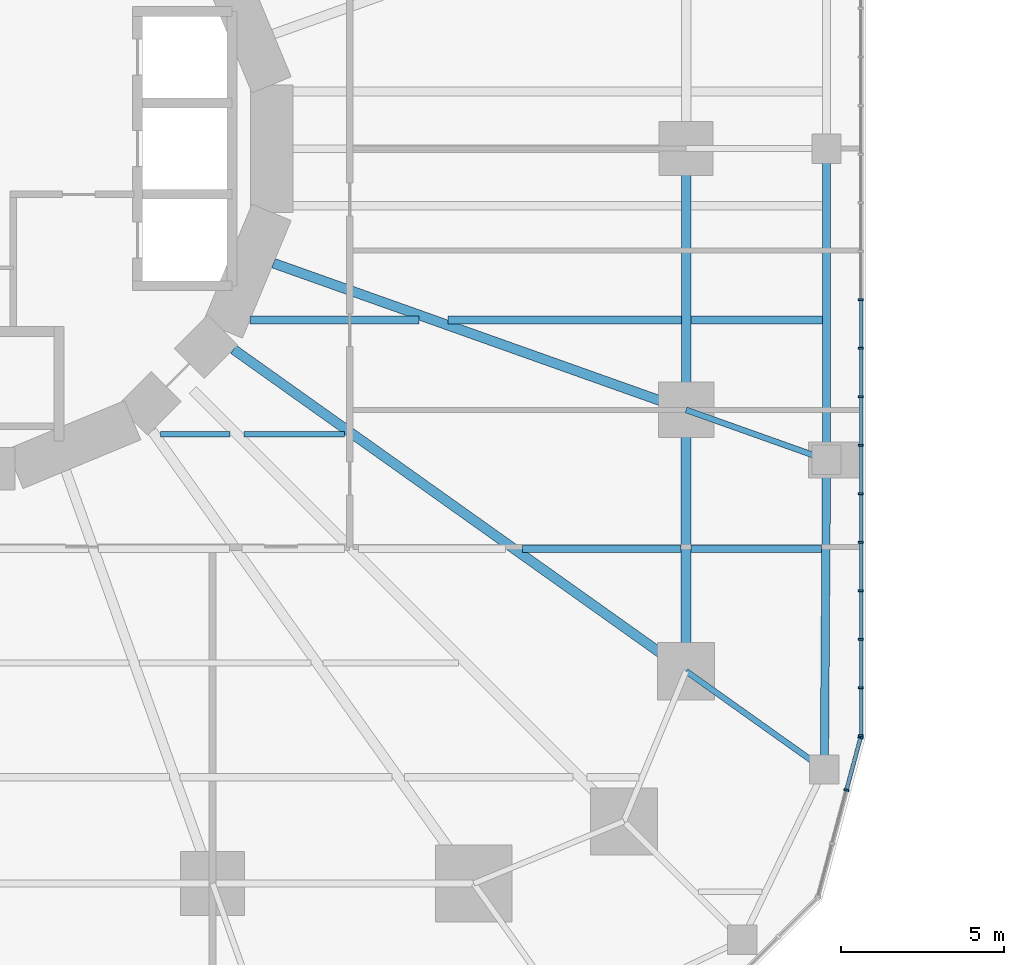
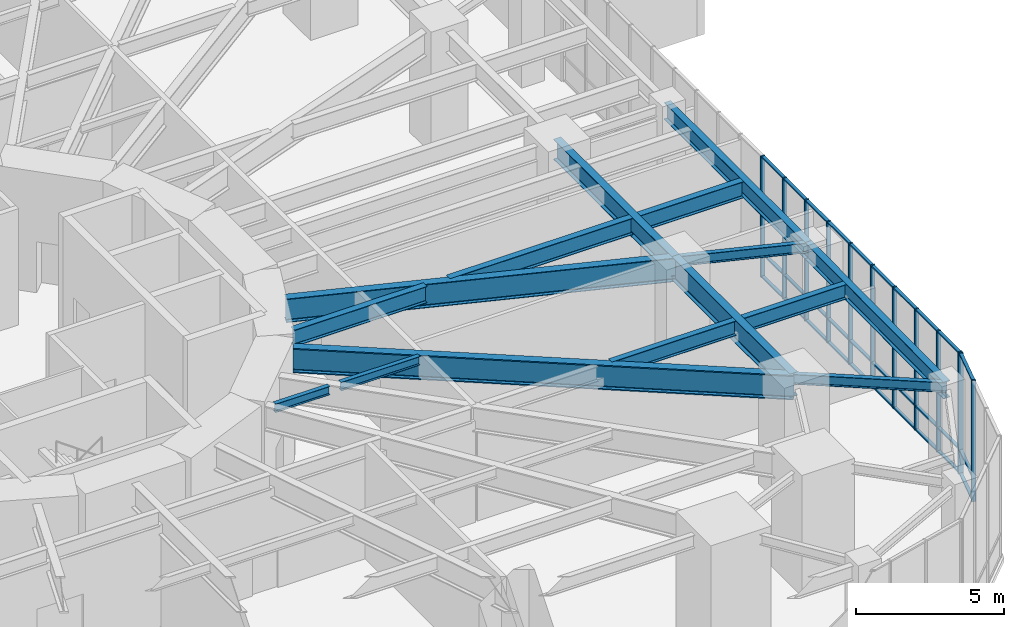
# One storey, part 7 of 24: 42 members, 15 beams, 2 elements without a shape of their own.
"""IFC4 building model written with IfcOpenShell, lengths in metres."""

import ifcopenshell
import ifcopenshell.guid

model = None  # the IFC model being written
_history = None  # IfcOwnerHistory: only IFC2X3 demands one
_inside = {}  # id of a spatial element -> (the spatial element, [elements in it])
_under = {}  # id of a project, library or spatial element -> (it, [spatial elements below it])
_declared = {}  # id of a project -> (the project, [libraries it declares])
_typed = {}  # id of a type object -> (the type object, [elements of that type])
_made_of = {}  # id of a material, layer set ... -> (it, [elements and type objects made of it])


def new_model(schema):
    """Start an empty IFC model of exactly this schema.

    Asked for "IFC4X3", IfcOpenShell would pick the latest addendum, in which some entities
    have other attributes; the version numbers below select the first issue.
    IFC2X3 requires an IfcOwnerHistory on every rooted entity: one is made here for all.
    """
    global model, _history
    if schema == "IFC4X3":
        model = ifcopenshell.file(schema_version=(4, 3, 0, 0))
    else:
        model = ifcopenshell.file(schema=schema)
    _inside.clear()
    _under.clear()
    _declared.clear()
    _typed.clear()
    _made_of.clear()
    _history = None
    if model.schema == "IFC2X3":
        org = make("IfcOrganization", Name="unknown")
        user = make(
            "IfcPersonAndOrganization",
            ThePerson=make("IfcPerson", FamilyName="unknown"),
            TheOrganization=org,
        )
        app = make(
            "IfcApplication",
            ApplicationDeveloper=org,
            Version="unknown",
            ApplicationFullName="unknown",
            ApplicationIdentifier="unknown",
        )
        _history = make(
            "IfcOwnerHistory",
            OwningUser=user,
            OwningApplication=app,
            ChangeAction="ADDED",
            CreationDate=0,
        )
    return model


def make(cls, **values):
    """One entity of the class cls with the attributes given. An attribute that is None is left unset."""
    return model.create_entity(
        cls, **{name: value for name, value in values.items() if value is not None}
    )


def rooted(cls, **values):
    """An entity with a GlobalId (a new one), such as an element, a storey or a relation."""
    return make(cls, GlobalId=ifcopenshell.guid.new(), OwnerHistory=_history, **values)


def si_unit(unit_type, name, prefix=None):
    """IfcSIUnit, for example si_unit("LENGTHUNIT", "METRE", prefix="MILLI")."""
    return make("IfcSIUnit", UnitType=unit_type, Prefix=prefix, Name=name)


def assignment(units):
    """IfcUnitAssignment: the units of a project."""
    return None if units is None else make("IfcUnitAssignment", Units=units)


def point(xyz):
    """IfcCartesianPoint."""
    return None if xyz is None else make("IfcCartesianPoint", Coordinates=xyz)


def direction(xyz):
    """IfcDirection."""
    return None if xyz is None else make("IfcDirection", DirectionRatios=xyz)


def frame(location, z_axis=None, x_axis=None):
    """IfcAxis2Placement3D, a coordinate frame: its origin and axes. An axis left out is left unset."""
    return make(
        "IfcAxis2Placement3D",
        Location=point(location),
        Axis=direction(z_axis),
        RefDirection=direction(x_axis),
    )


def frame_2d(location, x_axis=None):
    """IfcAxis2Placement2D, a coordinate frame in the plane: its origin and x axis."""
    return make(
        "IfcAxis2Placement2D", Location=point(location), RefDirection=direction(x_axis)
    )


def origin():
    """The frame at (0, 0, 0) with its axes left unset."""
    return frame((0.0, 0.0, 0.0))


def origin_2d():
    """The frame at (0, 0) in the plane with its x axis left unset."""
    return frame_2d((0.0, 0.0))


def place(relative_to, where):
    """IfcLocalPlacement: puts the frame where relative to a parent placement (None: the world)."""
    return make(
        "IfcLocalPlacement", PlacementRelTo=relative_to, RelativePlacement=where
    )


def context(
    kind, dimensions, precision=None, world=None, true_north=None, identifier=None
):
    """IfcGeometricRepresentationContext, for example the 3D "Model" context."""
    return make(
        "IfcGeometricRepresentationContext",
        ContextIdentifier=identifier,
        ContextType=kind,
        CoordinateSpaceDimension=dimensions,
        Precision=precision,
        WorldCoordinateSystem=world,
        TrueNorth=true_north,
    )


def subcontext(parent, identifier, kind, view, scale=None):
    """IfcGeometricRepresentationSubContext, for example "Body" below "Model"."""
    return make(
        "IfcGeometricRepresentationSubContext",
        ContextIdentifier=identifier,
        ContextType=kind,
        ParentContext=parent,
        TargetScale=scale,
        TargetView=view,
    )


def project(units=None, contexts=None):
    """IfcProject with its units and contexts."""
    return rooted(
        "IfcProject",
        Name="project",
        RepresentationContexts=contexts,
        UnitsInContext=assignment(units),
    )


def spatial(cls, under=None, at=None, **own):
    """A site, building, storey or space (cls), placed at a placement, below another one or the project."""
    s = rooted(cls, ObjectPlacement=at, **own)
    if under is not None:
        _under.setdefault(under.id(), (under, []))[1].append(s)
    return s


def profile(cls, at=None, kind="AREA", **sizes):
    """A parametric profile (cls). Its sizes go by their IFC names, for example OverallWidth=200.0."""
    return make(cls, ProfileType=kind, Position=at, **sizes)


def rectangle(**sizes):
    """IfcRectangleProfileDef."""
    return profile("IfcRectangleProfileDef", **sizes)


def i_section(**sizes):
    """IfcIShapeProfileDef."""
    return profile("IfcIShapeProfileDef", **sizes)


def extrude(swept, where, along, depth):
    """IfcExtrudedAreaSolid: the profile swept, set in the frame where, extruded along a direction by depth."""
    return make(
        "IfcExtrudedAreaSolid",
        SweptArea=swept,
        Position=where,
        ExtrudedDirection=direction(along),
        Depth=depth,
    )


def shape(context_of_items, identifier, shape_type, items):
    """IfcShapeRepresentation: the items that make up one representation, for example the "Body"."""
    return make(
        "IfcShapeRepresentation",
        ContextOfItems=context_of_items,
        RepresentationIdentifier=identifier,
        RepresentationType=shape_type,
        Items=items,
    )


def material(Name=None, Category=None):
    """IfcMaterial."""
    return make("IfcMaterial", Name=Name, Category=Category)


def material_profile(
    of_material, cross_section, Name=None, Category=None, Priority=None
):
    """IfcMaterialProfile: a cross section and its material."""
    return make(
        "IfcMaterialProfile",
        Name=Name,
        Material=of_material,
        Profile=cross_section,
        Priority=Priority,
        Category=Category,
    )


def profile_set(profiles, Name=None, composite=None):
    """IfcMaterialProfileSet."""
    return make(
        "IfcMaterialProfileSet",
        Name=Name,
        MaterialProfiles=profiles,
        CompositeProfile=composite,
    )


def made_of(thing, what):
    """Note that an element or type object is made of a material, layer set ...; save() writes the relation."""
    if what is not None:
        _made_of.setdefault(what.id(), (what, []))[1].append(thing)
    return thing


def type_object(cls, material=None, **own):
    """A type object (cls), such as IfcWallType, which elements share."""
    return made_of(rooted(cls, **own), material)


def element(
    cls,
    number,
    at=None,
    inside=None,
    cuts=None,
    type_object=None,
    material=None,
    context=None,
    identifier="Body",
    shape_type=None,
    held_by="IfcProductDefinitionShape",
    body=None,
    shapes=None,
    **own,
):
    """One element of the class cls, such as IfcWall. Its Tag is "e" and its number.

    at: its placement. inside: the storey or other place that contains it. cuts: it is an
    opening in that element (IfcRelVoidsElement). A single representation is given by context,
    identifier, shape_type and body (its items); several are given by shapes. held_by: the class
    of the entity that holds the representations. save() writes the other relations.
    """
    e = rooted(cls, Tag="e%d" % number, ObjectPlacement=at, **own)
    if body is not None:
        shapes = [shape(context, identifier, shape_type, body)]
    if shapes is not None:
        e.Representation = make(held_by, Representations=shapes)
    if inside is not None:
        _inside.setdefault(inside.id(), (inside, []))[1].append(e)
    if cuts is not None:
        rooted(
            "IfcRelVoidsElement", RelatingBuildingElement=cuts, RelatedOpeningElement=e
        )
    if type_object is not None:
        _typed.setdefault(type_object.id(), (type_object, []))[1].append(e)
    return made_of(e, material)


def aggregate(whole, parts):
    """IfcRelAggregates: a whole, such as a stair, and the parts it consists of."""
    return rooted("IfcRelAggregates", RelatingObject=whole, RelatedObjects=parts)


def save(model, path):
    """Write the relations noted so far, then the file.

    IfcRelAggregates (storeys below a building ...), IfcRelContainedInSpatialStructure (elements
    in a storey), IfcRelDefinesByType, IfcRelAssociatesMaterial and IfcRelDeclares: one each for
    every whole, place, type object, material and project.
    """
    for whole, parts in _under.values():
        aggregate(whole, parts)
    for where, things in _inside.values():
        rooted(
            "IfcRelContainedInSpatialStructure",
            RelatedElements=things,
            RelatingStructure=where,
        )
    for kind, things in _typed.values():
        rooted("IfcRelDefinesByType", RelatedObjects=things, RelatingType=kind)
    for what, things in _made_of.values():
        rooted("IfcRelAssociatesMaterial", RelatedObjects=things, RelatingMaterial=what)
    for by, libraries in _declared.values():
        rooted("IfcRelDeclares", RelatingContext=by, RelatedDefinitions=libraries)
    model.write(path)


model = new_model("IFC4")

# Units and contexts
model_context = context("Model", 3, precision=1e-05, world=origin(), true_north=direction((0.0, 1.0)))
body_context = subcontext(model_context, "Body", "Model", "MODEL_VIEW")
ifc_project = project(units=[si_unit("LENGTHUNIT", "METRE"), si_unit("AREAUNIT", "SQUARE_METRE"), si_unit("VOLUMEUNIT", "CUBIC_METRE"), si_unit("PLANEANGLEUNIT", "RADIAN"), si_unit("MASSUNIT", "GRAM", prefix="KILO")], contexts=[model_context])

# Site, building, storey
site_placement = place(None, origin())
site = spatial("IfcSite", under=ifc_project, at=site_placement, CompositionType="ELEMENT")
building_placement = place(site_placement, origin())
building = spatial("IfcBuilding", under=site, at=building_placement, Name="Nakasero Lantern House", CompositionType="ELEMENT")
storey_placement = place(building_placement, frame((0.0, 0.0, 6.0)))
storey = spatial("IfcBuildingStorey", under=building, at=storey_placement, Name="L01", CompositionType="ELEMENT", Elevation=6.0)

# Beams
ifc_material_1 = material(Name="Steel S355", Category="steel")
ifc_material_profile_1 = material_profile(ifc_material_1, i_section(OverallWidth=0.17138671875, OverallDepth=0.35498046875, WebThickness=0.00732421875, FlangeThickness=0.011474609375, FilletRadius=0.01025390625, at=origin_2d()), Name="UB 356x171x51")
ifc_profile_set_1 = profile_set([ifc_material_profile_1], Name="Steel S355")
beam_type_1 = type_object("IfcBeamType", Name="Infill beam UB 356x171x51", PredefinedType="JOIST", material=ifc_profile_set_1)
beam_1_placement = place(storey_placement, frame((6.40966796875, -8.75, 4.62255859375), z_axis=(1.0, 0.0, 0.0), x_axis=(0.0, 1.0, 0.0)))
element("IfcBeam", 1, at=beam_1_placement, inside=storey, type_object=beam_type_1, Name="Infill beam L02 06.3", PredefinedType="JOIST", context=body_context, shape_type="SweptSolid", body=[
    extrude(i_section(OverallWidth=0.17138671875, OverallDepth=0.35498046875, WebThickness=0.00732421875, FlangeThickness=0.011474609375, FilletRadius=0.01025390625, at=origin_2d()), origin(), (0.0, 0.0, 1.0), 2.124267578125),
])
beam_2_placement = place(storey_placement, frame((8.966064453125, -8.75, 4.62255859375), z_axis=(1.0, 0.0, 0.0), x_axis=(0.0, 1.0, 0.0)))
element("IfcBeam", 2, at=beam_2_placement, inside=storey, type_object=beam_type_1, Name="Infill beam L02 06.4", PredefinedType="JOIST", context=body_context, shape_type="SweptSolid", body=[
    extrude(i_section(OverallWidth=0.17138671875, OverallDepth=0.35498046875, WebThickness=0.00732421875, FlangeThickness=0.011474609375, FilletRadius=0.01025390625, at=origin_2d()), origin(), (0.0, 0.0, 1.0), 3.0771484375),
])
ifc_material_2 = material(Name="Steel S355", Category="steel")
ifc_material_profile_2 = material_profile(ifc_material_2, i_section(OverallWidth=0.22900390625, OverallDepth=0.6123046875, WebThickness=0.011962890625, FlangeThickness=0.01953125, FilletRadius=0.0126953125, at=origin_2d()), Name="UB 610x229x125")
ifc_profile_set_2 = profile_set([ifc_material_profile_2], Name="Steel S355")
beam_type_2 = type_object("IfcBeamType", Name="Infill beam UB 610x229x125", PredefinedType="JOIST", material=ifc_profile_set_2)
beam_3_placement = place(storey_placement, frame((17.488037109375, -12.25, 4.493896484375), z_axis=(1.0, 0.0, 0.0), x_axis=(0.0, 1.0, 0.0)))
element("IfcBeam", 3, at=beam_3_placement, inside=storey, type_object=beam_type_2, Name="Infill beam L02 05.11", PredefinedType="JOIST", context=body_context, shape_type="SweptSolid", body=[
    extrude(i_section(OverallWidth=0.22900390625, OverallDepth=0.6123046875, WebThickness=0.011962890625, FlangeThickness=0.01953125, FilletRadius=0.0126953125, at=origin_2d()), origin(), (0.0, 0.0, 1.0), 4.862060546875),
])
beam_4_placement = place(storey_placement, frame((22.64990234375, -12.25, 4.493896484375), z_axis=(1.0, 0.0, 0.0), x_axis=(0.0, 1.0, 0.0)))
element("IfcBeam", 4, at=beam_4_placement, inside=storey, type_object=beam_type_2, Name="Infill beam L02 05.12", PredefinedType="JOIST", context=body_context, shape_type="SweptSolid", body=[
    extrude(i_section(OverallWidth=0.22900390625, OverallDepth=0.6123046875, WebThickness=0.011962890625, FlangeThickness=0.01953125, FilletRadius=0.0126953125, at=origin_2d()), origin(), (0.0, 0.0, 1.0), 4.003173828125),
])
ifc_material_3 = material(Name="Steel S355", Category="steel")
ifc_material_profile_3 = material_profile(ifc_material_3, i_section(OverallWidth=0.253662109375, OverallDepth=0.68359375, WebThickness=0.012451171875, FlangeThickness=0.01904296875, FilletRadius=0.01513671875, at=origin_2d()), Name="UB 686x254x140")
ifc_profile_set_3 = profile_set([ifc_material_profile_3], Name="Steel S355")
beam_type_3 = type_object("IfcBeamType", Name="Infill beam UB 686x254x140", PredefinedType="JOIST", material=ifc_profile_set_3)
beam_5_placement = place(storey_placement, frame((9.144775390625, -5.25, 4.458251953125), z_axis=(1.0, 0.0, 0.0), x_axis=(0.0, 1.0, 0.0)))
element("IfcBeam", 5, at=beam_5_placement, inside=storey, type_object=beam_type_3, Name="Infill beam L02 07.4", PredefinedType="JOIST", context=body_context, shape_type="SweptSolid", body=[
    extrude(i_section(OverallWidth=0.253662109375, OverallDepth=0.68359375, WebThickness=0.012451171875, FlangeThickness=0.01904296875, FilletRadius=0.01513671875, at=origin_2d()), origin(), (0.0, 0.0, 1.0), 5.173095703125),
])
beam_6_placement = place(storey_placement, frame((15.21337890625, -5.25, 4.458251953125), z_axis=(1.0, 0.0, 0.0), x_axis=(0.0, 1.0, 0.0)))
element("IfcBeam", 6, at=beam_6_placement, inside=storey, type_object=beam_type_3, Name="Infill beam L02 07.5", PredefinedType="JOIST", context=body_context, shape_type="SweptSolid", body=[
    extrude(i_section(OverallWidth=0.253662109375, OverallDepth=0.68359375, WebThickness=0.012451171875, FlangeThickness=0.01904296875, FilletRadius=0.01513671875, at=origin_2d()), origin(), (0.0, 0.0, 1.0), 7.140380859375),
])
beam_7_placement = place(storey_placement, frame((22.646240234375, -5.25, 4.458251953125), z_axis=(1.0, 0.0, 0.0), x_axis=(0.0, 1.0, 0.0)))
element("IfcBeam", 7, at=beam_7_placement, inside=storey, type_object=beam_type_3, Name="Infill beam L02 07.6", PredefinedType="JOIST", context=body_context, shape_type="SweptSolid", body=[
    extrude(i_section(OverallWidth=0.253662109375, OverallDepth=0.68359375, WebThickness=0.012451171875, FlangeThickness=0.01904296875, FilletRadius=0.01513671875, at=origin_2d()), origin(), (0.0, 0.0, 1.0), 4.02587890625),
])

# Curtain wall, members
ifc_material_4 = material(Name="Aluminium 6063-T6 and glass", Category="aluminium")
curtain_wall_type = type_object("IfcCurtainWallType", Name="Podium curtain wall CW-2", PredefinedType="USERDEFINED", material=ifc_material_4)
curtain_wall_1_placement = place(storey_placement, origin())
curtain_wall_1 = element("IfcCurtainWall", 8, at=curtain_wall_1_placement, inside=storey, type_object=curtain_wall_type, Name="Curtain wall CW-2 L01", ObjectType="STICK CURTAIN WALL", PredefinedType="USERDEFINED")
ifc_material_5 = material(Name="Aluminium 6063-T6", Category="aluminium")
ifc_material_profile_4 = material_profile(ifc_material_5, rectangle(XDim=0.06005859375, YDim=0.159912109375, at=origin_2d()), Name="CW-2 mullion 60x160")
ifc_profile_set_4 = profile_set([ifc_material_profile_4], Name="Aluminium 6063-T6")
member_type_1 = type_object("IfcMemberType", Name="Mullion CW-2", PredefinedType="MULLION", material=ifc_profile_set_4)
member_1_placement = place(storey_placement, frame((27.85009765625, -17.969970703125, 0.0), z_axis=(0.0, 0.0, 1.0), x_axis=(0.0, 1.0, 0.0)))
member_1 = element("IfcMember", 9, at=member_1_placement, type_object=member_type_1, Name="CW-2 mullion 1", PredefinedType="MULLION", context=body_context, shape_type="SweptSolid", body=[
    extrude(rectangle(XDim=0.06005859375, YDim=0.159912109375, at=origin_2d()), origin(), (0.0, 0.0, 1.0), 5.0),
])
member_2_placement = place(storey_placement, frame((27.85009765625, -16.513916015625, 0.0), z_axis=(0.0, 0.0, 1.0), x_axis=(0.0, 1.0, 0.0)))
member_2 = element("IfcMember", 10, at=member_2_placement, type_object=member_type_1, Name="CW-2 mullion 2", PredefinedType="MULLION", context=body_context, shape_type="SweptSolid", body=[
    extrude(rectangle(XDim=0.06005859375, YDim=0.159912109375, at=origin_2d()), origin(), (0.0, 0.0, 1.0), 5.0),
])
member_3_placement = place(storey_placement, frame((27.85009765625, -15.02783203125, 0.0), z_axis=(0.0, 0.0, 1.0), x_axis=(0.0, 1.0, 0.0)))
member_3 = element("IfcMember", 11, at=member_3_placement, type_object=member_type_1, Name="CW-2 mullion 3", PredefinedType="MULLION", context=body_context, shape_type="SweptSolid", body=[
    extrude(rectangle(XDim=0.06005859375, YDim=0.159912109375, at=origin_2d()), origin(), (0.0, 0.0, 1.0), 5.0),
])
member_4_placement = place(storey_placement, frame((27.85009765625, -13.541748046875, 0.0), z_axis=(0.0, 0.0, 1.0), x_axis=(0.0, 1.0, 0.0)))
member_4 = element("IfcMember", 12, at=member_4_placement, type_object=member_type_1, Name="CW-2 mullion 4", PredefinedType="MULLION", context=body_context, shape_type="SweptSolid", body=[
    extrude(rectangle(XDim=0.06005859375, YDim=0.159912109375, at=origin_2d()), origin(), (0.0, 0.0, 1.0), 5.0),
])
member_5_placement = place(storey_placement, frame((27.85009765625, -12.0556640625, 0.0), z_axis=(0.0, 0.0, 1.0), x_axis=(0.0, 1.0, 0.0)))
member_5 = element("IfcMember", 13, at=member_5_placement, type_object=member_type_1, Name="CW-2 mullion 5", PredefinedType="MULLION", context=body_context, shape_type="SweptSolid", body=[
    extrude(rectangle(XDim=0.06005859375, YDim=0.159912109375, at=origin_2d()), origin(), (0.0, 0.0, 1.0), 5.0),
])
member_6_placement = place(storey_placement, frame((27.85009765625, -10.5693359375, 0.0), z_axis=(0.0, 0.0, 1.0), x_axis=(0.0, 1.0, 0.0)))
member_6 = element("IfcMember", 14, at=member_6_placement, type_object=member_type_1, Name="CW-2 mullion 6", PredefinedType="MULLION", context=body_context, shape_type="SweptSolid", body=[
    extrude(rectangle(XDim=0.06005859375, YDim=0.159912109375, at=origin_2d()), origin(), (0.0, 0.0, 1.0), 5.0),
])
member_7_placement = place(storey_placement, frame((27.85009765625, -9.083251953125, 0.0), z_axis=(0.0, 0.0, 1.0), x_axis=(0.0, 1.0, 0.0)))
member_7 = element("IfcMember", 15, at=member_7_placement, type_object=member_type_1, Name="CW-2 mullion 7", PredefinedType="MULLION", context=body_context, shape_type="SweptSolid", body=[
    extrude(rectangle(XDim=0.06005859375, YDim=0.159912109375, at=origin_2d()), origin(), (0.0, 0.0, 1.0), 5.0),
])
member_8_placement = place(storey_placement, frame((27.85009765625, -7.59716796875, 0.0), z_axis=(0.0, 0.0, 1.0), x_axis=(0.0, 1.0, 0.0)))
member_8 = element("IfcMember", 16, at=member_8_placement, type_object=member_type_1, Name="CW-2 mullion 8", PredefinedType="MULLION", context=body_context, shape_type="SweptSolid", body=[
    extrude(rectangle(XDim=0.06005859375, YDim=0.159912109375, at=origin_2d()), origin(), (0.0, 0.0, 1.0), 5.0),
])
member_9_placement = place(storey_placement, frame((27.85009765625, -6.111083984375, 0.0), z_axis=(0.0, 0.0, 1.0), x_axis=(0.0, 1.0, 0.0)))
member_9 = element("IfcMember", 17, at=member_9_placement, type_object=member_type_1, Name="CW-2 mullion 9", PredefinedType="MULLION", context=body_context, shape_type="SweptSolid", body=[
    extrude(rectangle(XDim=0.06005859375, YDim=0.159912109375, at=origin_2d()), origin(), (0.0, 0.0, 1.0), 5.0),
])
member_10_placement = place(storey_placement, frame((27.85009765625, -4.625, 0.0), z_axis=(0.0, 0.0, 1.0), x_axis=(0.0, 1.0, 0.0)))
member_10 = element("IfcMember", 18, at=member_10_placement, type_object=member_type_1, Name="CW-2 mullion 10", PredefinedType="MULLION", context=body_context, shape_type="SweptSolid", body=[
    extrude(rectangle(XDim=0.06005859375, YDim=0.159912109375, at=origin_2d()), origin(), (0.0, 0.0, 1.0), 5.0),
])

curtain_wall_2_placement = place(storey_placement, origin())
curtain_wall_2 = element("IfcCurtainWall", 19, at=curtain_wall_2_placement, inside=storey, type_object=curtain_wall_type, Name="Curtain wall CW-2 L01", ObjectType="STICK CURTAIN WALL", PredefinedType="USERDEFINED")
member_11_placement = place(storey_placement, frame((27.41015625, -19.6416015625, 0.0), z_axis=(0.0, 0.0, 1.0), x_axis=(0.258819045103, 0.965925826289, 0.0)))
member_11 = element("IfcMember", 20, at=member_11_placement, type_object=member_type_1, Name="CW-2 mullion 3", PredefinedType="MULLION", context=body_context, shape_type="SweptSolid", body=[
    extrude(rectangle(XDim=0.06005859375, YDim=0.159912109375, at=origin_2d()), origin(), (0.0, 0.0, 1.0), 5.0),
])
member_12_placement = place(storey_placement, frame((27.84228515625, -18.029052734375, 0.0), z_axis=(0.0, 0.0, 1.0), x_axis=(0.258819045103, 0.965925826289, 0.0)))
member_12 = element("IfcMember", 21, at=member_12_placement, type_object=member_type_1, Name="CW-2 mullion 4", PredefinedType="MULLION", context=body_context, shape_type="SweptSolid", body=[
    extrude(rectangle(XDim=0.06005859375, YDim=0.159912109375, at=origin_2d()), origin(), (0.0, 0.0, 1.0), 5.0),
])

# Beams
ifc_material_6 = material(Name="Steel S355", Category="steel")
ifc_material_profile_5 = material_profile(ifc_material_6, i_section(OverallWidth=0.300048828125, OverallDepth=0.97998046875, WebThickness=0.0166015625, FlangeThickness=0.02587890625, FilletRadius=0.030029296875, at=origin_2d()), Name="UB 1016x305x249")
ifc_profile_set_5 = profile_set([ifc_material_profile_5], Name="Steel S355")
beam_type_4 = type_object("IfcBeamType", Name="Primary beam UB 1016x305x249, span 12 to 15 m", PredefinedType="BEAM", material=ifc_profile_set_5)
beam_8_placement = place(storey_placement, frame((22.5, -8.0, 4.31005859375), z_axis=(-0.942214307118, 0.335010745293, 0.0), x_axis=(-0.335010745293, -0.942214307118, 0.0)))
element("IfcBeam", 22, at=beam_8_placement, inside=storey, type_object=beam_type_4, Name="Primary beam L02 B1-C02", PredefinedType="BEAM", context=body_context, shape_type="SweptSolid", body=[
    extrude(i_section(OverallWidth=0.300048828125, OverallDepth=0.97998046875, WebThickness=0.0166015625, FlangeThickness=0.02587890625, FilletRadius=0.030029296875, at=origin_2d()), origin(), (0.0, 0.0, 1.0), 13.408447265625),
])
ifc_material_7 = material(Name="Steel S355", Category="steel")
ifc_material_profile_6 = material_profile(ifc_material_7, i_section(OverallWidth=0.302978515625, OverallDepth=1.015869140625, WebThickness=0.0244140625, FlangeThickness=0.0439453125, FilletRadius=0.030029296875, at=origin_2d()), Name="UB 1016x305x393")
ifc_profile_set_6 = profile_set([ifc_material_profile_6], Name="Steel S355")
beam_type_5 = type_object("IfcBeamType", Name="Primary beam UB 1016x305x393, span over 15 m", PredefinedType="BEAM", material=ifc_profile_set_6)
beam_9_placement = place(storey_placement, frame((22.5, -16.0, 4.2919921875), z_axis=(-0.814952159915, 0.579528236629, 0.0), x_axis=(-0.579528236629, -0.814952159915, 0.0)))
element("IfcBeam", 23, at=beam_9_placement, inside=storey, type_object=beam_type_5, Name="Primary beam L02 B1-C01", PredefinedType="BEAM", context=body_context, shape_type="SweptSolid", body=[
    extrude(i_section(OverallWidth=0.302978515625, OverallDepth=1.015869140625, WebThickness=0.0244140625, FlangeThickness=0.0439453125, FilletRadius=0.030029296875, at=origin_2d()), origin(), (0.0, 0.0, 1.0), 17.003173828125),
])
ifc_material_8 = material(Name="Steel S355", Category="steel")
ifc_material_profile_7 = material_profile(ifc_material_8, i_section(OverallWidth=0.179443359375, OverallDepth=0.412841796875, WebThickness=0.009521484375, FlangeThickness=0.01611328125, FilletRadius=0.01025390625, at=origin_2d()), Name="UB 406x178x74")
ifc_profile_set_7 = profile_set([ifc_material_profile_7], Name="Steel S355")
beam_type_6 = type_object("IfcBeamType", Name="Primary beam UB 406x178x74, span to 6 m", PredefinedType="BEAM", material=ifc_profile_set_7)
beam_10_placement = place(storey_placement, frame((26.733642578125, -19.0107421875, 4.593505859375), z_axis=(-0.814941514044, 0.57954320692, 0.0), x_axis=(-0.57954320692, -0.814941514044, 0.0)))
element("IfcBeam", 24, at=beam_10_placement, inside=storey, type_object=beam_type_6, Name="Primary beam L02 POD-C01", PredefinedType="BEAM", context=body_context, shape_type="SweptSolid", body=[
    extrude(i_section(OverallWidth=0.179443359375, OverallDepth=0.412841796875, WebThickness=0.009521484375, FlangeThickness=0.01611328125, FilletRadius=0.01025390625, at=origin_2d()), origin(), (0.0, 0.0, 1.0), 5.195068359375),
])
beam_11_placement = place(storey_placement, frame((26.800048828125, -9.52880859375, 4.593505859375), z_axis=(-0.942221444489, 0.334990670833, 0.0), x_axis=(-0.334990670833, -0.942221444489, 0.0)))
element("IfcBeam", 25, at=beam_11_placement, inside=storey, type_object=beam_type_6, Name="Primary beam L02 POD-C02", PredefinedType="BEAM", context=body_context, shape_type="SweptSolid", body=[
    extrude(i_section(OverallWidth=0.179443359375, OverallDepth=0.412841796875, WebThickness=0.009521484375, FlangeThickness=0.01611328125, FilletRadius=0.01025390625, at=origin_2d()), origin(), (0.0, 0.0, 1.0), 4.563720703125),
])
ifc_material_9 = material(Name="Steel S355", Category="steel")
ifc_material_profile_8 = material_profile(ifc_material_9, i_section(OverallWidth=0.300048828125, OverallDepth=0.97021484375, WebThickness=0.01611328125, FlangeThickness=0.02099609375, FilletRadius=0.030029296875, at=origin_2d()), Name="UB 1016x305x222")
ifc_profile_set_8 = profile_set([ifc_material_profile_8], Name="Steel S355")
beam_type_7 = type_object("IfcBeamType", Name="Ring beam UB 1016x305x222", PredefinedType="BEAM", material=ifc_profile_set_8)
beam_12_placement = place(storey_placement, frame((22.5, -16.0, 4.31494140625), z_axis=(0.0, 1.0, 0.0), x_axis=(-1.0, 0.0, 0.0)))
element("IfcBeam", 26, at=beam_12_placement, inside=storey, type_object=beam_type_7, Name="Ring beam L02 B1-C01", PredefinedType="BEAM", context=body_context, shape_type="SweptSolid", body=[
    extrude(i_section(OverallWidth=0.300048828125, OverallDepth=0.97021484375, WebThickness=0.01611328125, FlangeThickness=0.02099609375, FilletRadius=0.030029296875, at=origin_2d()), origin(), (0.0, 0.0, 1.0), 8.0),
])
ifc_material_10 = material(Name="Steel S355", Category="steel")
ifc_material_profile_9 = material_profile(ifc_material_10, i_section(OverallWidth=0.255859375, OverallDepth=0.69287109375, WebThickness=0.014404296875, FlangeThickness=0.023681640625, FilletRadius=0.01513671875, at=origin_2d()), Name="UB 686x254x170")
ifc_profile_set_9 = profile_set([ifc_material_profile_9], Name="Steel S355")
beam_type_8 = type_object("IfcBeamType", Name="Ring beam UB 686x254x170", PredefinedType="BEAM", material=ifc_profile_set_9)
beam_13_placement = place(storey_placement, frame((26.733642578125, -19.0107421875, 4.45361328125), z_axis=(0.007003278482, 0.999975476745, 0.0), x_axis=(-0.999975476745, 0.007003278482, 0.0)))
element("IfcBeam", 27, at=beam_13_placement, inside=storey, type_object=beam_type_8, Name="Ring beam L02 POD-C01", PredefinedType="BEAM", context=body_context, shape_type="SweptSolid", body=[
    extrude(i_section(OverallWidth=0.255859375, OverallDepth=0.69287109375, WebThickness=0.014404296875, FlangeThickness=0.023681640625, FilletRadius=0.01513671875, at=origin_2d()), origin(), (0.0, 0.0, 1.0), 9.482177734375),
])
beam_14_placement = place(storey_placement, frame((26.800048828125, -9.52880859375, 4.45361328125), z_axis=(0.0, 1.0, 0.0), x_axis=(-1.0, 0.0, 0.0)))
element("IfcBeam", 28, at=beam_14_placement, inside=storey, type_object=beam_type_8, Name="Ring beam L02 POD-C02", PredefinedType="BEAM", context=body_context, shape_type="SweptSolid", body=[
    extrude(i_section(OverallWidth=0.255859375, OverallDepth=0.69287109375, WebThickness=0.014404296875, FlangeThickness=0.023681640625, FilletRadius=0.01513671875, at=origin_2d()), origin(), (0.0, 0.0, 1.0), 9.52880859375),
])
ifc_material_11 = material(Name="Steel S355", Category="steel")
ifc_material_profile_10 = material_profile(ifc_material_11, i_section(OverallWidth=0.29248046875, OverallDepth=0.8408203125, WebThickness=0.0146484375, FlangeThickness=0.02685546875, FilletRadius=0.017822265625, at=origin_2d()), Name="UB 838x292x194")
ifc_profile_set_10 = profile_set([ifc_material_profile_10], Name="Steel S355")
beam_type_9 = type_object("IfcBeamType", Name="Ring beam UB 838x292x194", PredefinedType="BEAM", material=ifc_profile_set_10)
beam_15_placement = place(storey_placement, frame((22.5, -8.0, 4.379638671875), z_axis=(0.0, 1.0, 0.0), x_axis=(-1.0, 0.0, 0.0)))
element("IfcBeam", 29, at=beam_15_placement, inside=storey, type_object=beam_type_9, Name="Ring beam L02 B1-C02", PredefinedType="BEAM", context=body_context, shape_type="SweptSolid", body=[
    extrude(i_section(OverallWidth=0.29248046875, OverallDepth=0.8408203125, WebThickness=0.0146484375, FlangeThickness=0.02685546875, FilletRadius=0.017822265625, at=origin_2d()), origin(), (0.0, 0.0, 1.0), 8.0),
])

# Member
ifc_material_12 = material(Name="Aluminium 6063-T6", Category="aluminium")
ifc_material_profile_11 = material_profile(ifc_material_12, rectangle(XDim=0.06005859375, YDim=0.1201171875, at=origin_2d()), Name="CW-2 transom 60x120")
ifc_profile_set_11 = profile_set([ifc_material_profile_11], Name="Aluminium 6063-T6")
member_type_2 = type_object("IfcMemberType", Name="Transom CW-2", PredefinedType="USERDEFINED", material=ifc_profile_set_11)
member_13_placement = place(storey_placement, frame((27.85009765625, -17.93994140625, 0.030029296875), z_axis=(0.0, 1.0, 0.0), x_axis=(0.0, 0.0, 1.0)))
member_13 = element("IfcMember", 30, at=member_13_placement, type_object=member_type_2, Name="CW-2 transom 1.1", ObjectType="TRANSOM", PredefinedType="USERDEFINED", context=body_context, shape_type="SweptSolid", body=[
    extrude(rectangle(XDim=0.06005859375, YDim=0.1201171875, at=origin_2d()), origin(), (0.0, 0.0, 1.0), 1.39599609375),
])

member_14_placement = place(storey_placement, frame((27.85009765625, -17.93994140625, 1.0), z_axis=(0.0, 1.0, 0.0), x_axis=(0.0, 0.0, 1.0)))
member_14 = element("IfcMember", 31, at=member_14_placement, type_object=member_type_2, Name="CW-2 transom 1.2", ObjectType="TRANSOM", PredefinedType="USERDEFINED", context=body_context, shape_type="SweptSolid", body=[
    extrude(rectangle(XDim=0.06005859375, YDim=0.1201171875, at=origin_2d()), origin(), (0.0, 0.0, 1.0), 1.39599609375),
])

member_15_placement = place(storey_placement, frame((27.85009765625, -17.93994140625, 4.969970703125), z_axis=(0.0, 1.0, 0.0), x_axis=(0.0, 0.0, 1.0)))
member_15 = element("IfcMember", 32, at=member_15_placement, type_object=member_type_2, Name="CW-2 transom 1.3", ObjectType="TRANSOM", PredefinedType="USERDEFINED", context=body_context, shape_type="SweptSolid", body=[
    extrude(rectangle(XDim=0.06005859375, YDim=0.1201171875, at=origin_2d()), origin(), (0.0, 0.0, 1.0), 1.39599609375),
])

member_16_placement = place(storey_placement, frame((27.85009765625, -16.48388671875, 0.030029296875), z_axis=(0.0, 1.0, 0.0), x_axis=(0.0, 0.0, 1.0)))
member_16 = element("IfcMember", 33, at=member_16_placement, type_object=member_type_2, Name="CW-2 transom 2.1", ObjectType="TRANSOM", PredefinedType="USERDEFINED", context=body_context, shape_type="SweptSolid", body=[
    extrude(rectangle(XDim=0.06005859375, YDim=0.1201171875, at=origin_2d()), origin(), (0.0, 0.0, 1.0), 1.426025390625),
])

member_17_placement = place(storey_placement, frame((27.85009765625, -16.48388671875, 1.0), z_axis=(0.0, 1.0, 0.0), x_axis=(0.0, 0.0, 1.0)))
member_17 = element("IfcMember", 34, at=member_17_placement, type_object=member_type_2, Name="CW-2 transom 2.2", ObjectType="TRANSOM", PredefinedType="USERDEFINED", context=body_context, shape_type="SweptSolid", body=[
    extrude(rectangle(XDim=0.06005859375, YDim=0.1201171875, at=origin_2d()), origin(), (0.0, 0.0, 1.0), 1.426025390625),
])

member_18_placement = place(storey_placement, frame((27.85009765625, -16.48388671875, 4.969970703125), z_axis=(0.0, 1.0, 0.0), x_axis=(0.0, 0.0, 1.0)))
member_18 = element("IfcMember", 35, at=member_18_placement, type_object=member_type_2, Name="CW-2 transom 2.3", ObjectType="TRANSOM", PredefinedType="USERDEFINED", context=body_context, shape_type="SweptSolid", body=[
    extrude(rectangle(XDim=0.06005859375, YDim=0.1201171875, at=origin_2d()), origin(), (0.0, 0.0, 1.0), 1.426025390625),
])

member_19_placement = place(storey_placement, frame((27.85009765625, -14.997802734375, 0.030029296875), z_axis=(0.0, 1.0, 0.0), x_axis=(0.0, 0.0, 1.0)))
member_19 = element("IfcMember", 36, at=member_19_placement, type_object=member_type_2, Name="CW-2 transom 3.1", ObjectType="TRANSOM", PredefinedType="USERDEFINED", context=body_context, shape_type="SweptSolid", body=[
    extrude(rectangle(XDim=0.06005859375, YDim=0.1201171875, at=origin_2d()), origin(), (0.0, 0.0, 1.0), 1.426025390625),
])

member_20_placement = place(storey_placement, frame((27.85009765625, -14.997802734375, 1.0), z_axis=(0.0, 1.0, 0.0), x_axis=(0.0, 0.0, 1.0)))
member_20 = element("IfcMember", 37, at=member_20_placement, type_object=member_type_2, Name="CW-2 transom 3.2", ObjectType="TRANSOM", PredefinedType="USERDEFINED", context=body_context, shape_type="SweptSolid", body=[
    extrude(rectangle(XDim=0.06005859375, YDim=0.1201171875, at=origin_2d()), origin(), (0.0, 0.0, 1.0), 1.426025390625),
])

member_21_placement = place(storey_placement, frame((27.85009765625, -14.997802734375, 4.969970703125), z_axis=(0.0, 1.0, 0.0), x_axis=(0.0, 0.0, 1.0)))
member_21 = element("IfcMember", 38, at=member_21_placement, type_object=member_type_2, Name="CW-2 transom 3.3", ObjectType="TRANSOM", PredefinedType="USERDEFINED", context=body_context, shape_type="SweptSolid", body=[
    extrude(rectangle(XDim=0.06005859375, YDim=0.1201171875, at=origin_2d()), origin(), (0.0, 0.0, 1.0), 1.426025390625),
])

member_22_placement = place(storey_placement, frame((27.85009765625, -13.51171875, 0.030029296875), z_axis=(0.0, 1.0, 0.0), x_axis=(0.0, 0.0, 1.0)))
member_22 = element("IfcMember", 39, at=member_22_placement, type_object=member_type_2, Name="CW-2 transom 4.1", ObjectType="TRANSOM", PredefinedType="USERDEFINED", context=body_context, shape_type="SweptSolid", body=[
    extrude(rectangle(XDim=0.06005859375, YDim=0.1201171875, at=origin_2d()), origin(), (0.0, 0.0, 1.0), 1.42626953125),
])

member_23_placement = place(storey_placement, frame((27.85009765625, -13.51171875, 1.0), z_axis=(0.0, 1.0, 0.0), x_axis=(0.0, 0.0, 1.0)))
member_23 = element("IfcMember", 40, at=member_23_placement, type_object=member_type_2, Name="CW-2 transom 4.2", ObjectType="TRANSOM", PredefinedType="USERDEFINED", context=body_context, shape_type="SweptSolid", body=[
    extrude(rectangle(XDim=0.06005859375, YDim=0.1201171875, at=origin_2d()), origin(), (0.0, 0.0, 1.0), 1.42626953125),
])

member_24_placement = place(storey_placement, frame((27.85009765625, -13.51171875, 4.969970703125), z_axis=(0.0, 1.0, 0.0), x_axis=(0.0, 0.0, 1.0)))
member_24 = element("IfcMember", 41, at=member_24_placement, type_object=member_type_2, Name="CW-2 transom 4.3", ObjectType="TRANSOM", PredefinedType="USERDEFINED", context=body_context, shape_type="SweptSolid", body=[
    extrude(rectangle(XDim=0.06005859375, YDim=0.1201171875, at=origin_2d()), origin(), (0.0, 0.0, 1.0), 1.42626953125),
])

member_25_placement = place(storey_placement, frame((27.85009765625, -12.025634765625, 0.030029296875), z_axis=(0.0, 1.0, 0.0), x_axis=(0.0, 0.0, 1.0)))
member_25 = element("IfcMember", 42, at=member_25_placement, type_object=member_type_2, Name="CW-2 transom 5.1", ObjectType="TRANSOM", PredefinedType="USERDEFINED", context=body_context, shape_type="SweptSolid", body=[
    extrude(rectangle(XDim=0.06005859375, YDim=0.1201171875, at=origin_2d()), origin(), (0.0, 0.0, 1.0), 1.42626953125),
])

member_26_placement = place(storey_placement, frame((27.85009765625, -12.025634765625, 1.0), z_axis=(0.0, 1.0, 0.0), x_axis=(0.0, 0.0, 1.0)))
member_26 = element("IfcMember", 43, at=member_26_placement, type_object=member_type_2, Name="CW-2 transom 5.2", ObjectType="TRANSOM", PredefinedType="USERDEFINED", context=body_context, shape_type="SweptSolid", body=[
    extrude(rectangle(XDim=0.06005859375, YDim=0.1201171875, at=origin_2d()), origin(), (0.0, 0.0, 1.0), 1.42626953125),
])

member_27_placement = place(storey_placement, frame((27.85009765625, -12.025634765625, 4.969970703125), z_axis=(0.0, 1.0, 0.0), x_axis=(0.0, 0.0, 1.0)))
member_27 = element("IfcMember", 44, at=member_27_placement, type_object=member_type_2, Name="CW-2 transom 5.3", ObjectType="TRANSOM", PredefinedType="USERDEFINED", context=body_context, shape_type="SweptSolid", body=[
    extrude(rectangle(XDim=0.06005859375, YDim=0.1201171875, at=origin_2d()), origin(), (0.0, 0.0, 1.0), 1.42626953125),
])

member_28_placement = place(storey_placement, frame((27.85009765625, -10.53955078125, 0.030029296875), z_axis=(0.0, 1.0, 0.0), x_axis=(0.0, 0.0, 1.0)))
member_28 = element("IfcMember", 45, at=member_28_placement, type_object=member_type_2, Name="CW-2 transom 6.1", ObjectType="TRANSOM", PredefinedType="USERDEFINED", context=body_context, shape_type="SweptSolid", body=[
    extrude(rectangle(XDim=0.06005859375, YDim=0.1201171875, at=origin_2d()), origin(), (0.0, 0.0, 1.0), 1.42626953125),
])

member_29_placement = place(storey_placement, frame((27.85009765625, -10.53955078125, 1.0), z_axis=(0.0, 1.0, 0.0), x_axis=(0.0, 0.0, 1.0)))
member_29 = element("IfcMember", 46, at=member_29_placement, type_object=member_type_2, Name="CW-2 transom 6.2", ObjectType="TRANSOM", PredefinedType="USERDEFINED", context=body_context, shape_type="SweptSolid", body=[
    extrude(rectangle(XDim=0.06005859375, YDim=0.1201171875, at=origin_2d()), origin(), (0.0, 0.0, 1.0), 1.42626953125),
])

member_30_placement = place(storey_placement, frame((27.85009765625, -10.53955078125, 4.969970703125), z_axis=(0.0, 1.0, 0.0), x_axis=(0.0, 0.0, 1.0)))
member_30 = element("IfcMember", 47, at=member_30_placement, type_object=member_type_2, Name="CW-2 transom 6.3", ObjectType="TRANSOM", PredefinedType="USERDEFINED", context=body_context, shape_type="SweptSolid", body=[
    extrude(rectangle(XDim=0.06005859375, YDim=0.1201171875, at=origin_2d()), origin(), (0.0, 0.0, 1.0), 1.42626953125),
])

member_31_placement = place(storey_placement, frame((27.85009765625, -9.05322265625, 0.030029296875), z_axis=(0.0, 1.0, 0.0), x_axis=(0.0, 0.0, 1.0)))
member_31 = element("IfcMember", 48, at=member_31_placement, type_object=member_type_2, Name="CW-2 transom 7.1", ObjectType="TRANSOM", PredefinedType="USERDEFINED", context=body_context, shape_type="SweptSolid", body=[
    extrude(rectangle(XDim=0.06005859375, YDim=0.1201171875, at=origin_2d()), origin(), (0.0, 0.0, 1.0), 1.426025390625),
])

member_32_placement = place(storey_placement, frame((27.85009765625, -9.05322265625, 1.0), z_axis=(0.0, 1.0, 0.0), x_axis=(0.0, 0.0, 1.0)))
member_32 = element("IfcMember", 49, at=member_32_placement, type_object=member_type_2, Name="CW-2 transom 7.2", ObjectType="TRANSOM", PredefinedType="USERDEFINED", context=body_context, shape_type="SweptSolid", body=[
    extrude(rectangle(XDim=0.06005859375, YDim=0.1201171875, at=origin_2d()), origin(), (0.0, 0.0, 1.0), 1.426025390625),
])

member_33_placement = place(storey_placement, frame((27.85009765625, -9.05322265625, 4.969970703125), z_axis=(0.0, 1.0, 0.0), x_axis=(0.0, 0.0, 1.0)))
member_33 = element("IfcMember", 50, at=member_33_placement, type_object=member_type_2, Name="CW-2 transom 7.3", ObjectType="TRANSOM", PredefinedType="USERDEFINED", context=body_context, shape_type="SweptSolid", body=[
    extrude(rectangle(XDim=0.06005859375, YDim=0.1201171875, at=origin_2d()), origin(), (0.0, 0.0, 1.0), 1.426025390625),
])

member_34_placement = place(storey_placement, frame((27.85009765625, -7.567138671875, 0.030029296875), z_axis=(0.0, 1.0, 0.0), x_axis=(0.0, 0.0, 1.0)))
member_34 = element("IfcMember", 51, at=member_34_placement, type_object=member_type_2, Name="CW-2 transom 8.1", ObjectType="TRANSOM", PredefinedType="USERDEFINED", context=body_context, shape_type="SweptSolid", body=[
    extrude(rectangle(XDim=0.06005859375, YDim=0.1201171875, at=origin_2d()), origin(), (0.0, 0.0, 1.0), 1.426025390625),
])

member_35_placement = place(storey_placement, frame((27.85009765625, -7.567138671875, 1.0), z_axis=(0.0, 1.0, 0.0), x_axis=(0.0, 0.0, 1.0)))
member_35 = element("IfcMember", 52, at=member_35_placement, type_object=member_type_2, Name="CW-2 transom 8.2", ObjectType="TRANSOM", PredefinedType="USERDEFINED", context=body_context, shape_type="SweptSolid", body=[
    extrude(rectangle(XDim=0.06005859375, YDim=0.1201171875, at=origin_2d()), origin(), (0.0, 0.0, 1.0), 1.426025390625),
])

member_36_placement = place(storey_placement, frame((27.85009765625, -7.567138671875, 4.969970703125), z_axis=(0.0, 1.0, 0.0), x_axis=(0.0, 0.0, 1.0)))
member_36 = element("IfcMember", 53, at=member_36_placement, type_object=member_type_2, Name="CW-2 transom 8.3", ObjectType="TRANSOM", PredefinedType="USERDEFINED", context=body_context, shape_type="SweptSolid", body=[
    extrude(rectangle(XDim=0.06005859375, YDim=0.1201171875, at=origin_2d()), origin(), (0.0, 0.0, 1.0), 1.426025390625),
])

member_37_placement = place(storey_placement, frame((27.85009765625, -6.0810546875, 0.030029296875), z_axis=(0.0, 1.0, 0.0), x_axis=(0.0, 0.0, 1.0)))
member_37 = element("IfcMember", 54, at=member_37_placement, type_object=member_type_2, Name="CW-2 transom 9.1", ObjectType="TRANSOM", PredefinedType="USERDEFINED", context=body_context, shape_type="SweptSolid", body=[
    extrude(rectangle(XDim=0.06005859375, YDim=0.1201171875, at=origin_2d()), origin(), (0.0, 0.0, 1.0), 1.426025390625),
])

member_38_placement = place(storey_placement, frame((27.85009765625, -6.0810546875, 1.0), z_axis=(0.0, 1.0, 0.0), x_axis=(0.0, 0.0, 1.0)))
member_38 = element("IfcMember", 55, at=member_38_placement, type_object=member_type_2, Name="CW-2 transom 9.2", ObjectType="TRANSOM", PredefinedType="USERDEFINED", context=body_context, shape_type="SweptSolid", body=[
    extrude(rectangle(XDim=0.06005859375, YDim=0.1201171875, at=origin_2d()), origin(), (0.0, 0.0, 1.0), 1.426025390625),
])

member_39_placement = place(storey_placement, frame((27.85009765625, -6.0810546875, 4.969970703125), z_axis=(0.0, 1.0, 0.0), x_axis=(0.0, 0.0, 1.0)))
member_39 = element("IfcMember", 56, at=member_39_placement, type_object=member_type_2, Name="CW-2 transom 9.3", ObjectType="TRANSOM", PredefinedType="USERDEFINED", context=body_context, shape_type="SweptSolid", body=[
    extrude(rectangle(XDim=0.06005859375, YDim=0.1201171875, at=origin_2d()), origin(), (0.0, 0.0, 1.0), 1.426025390625),
])

aggregate(curtain_wall_1, [member_1, member_2, member_3, member_4, member_5, member_6, member_7, member_8, member_9, member_10, member_13, member_14, member_15, member_16, member_17, member_18, member_19, member_20, member_21, member_22, member_23, member_24, member_25, member_26, member_27, member_28, member_29, member_30, member_31, member_32, member_33, member_34, member_35, member_36, member_37, member_38, member_39])

member_40_placement = place(storey_placement, frame((27.41796875, -19.61279296875, 0.030029296875), z_axis=(0.258738612203, 0.96594737463, 0.0), x_axis=(0.0, 0.0, 1.0)))
member_40 = element("IfcMember", 57, at=member_40_placement, type_object=member_type_2, Name="CW-2 transom 3.1", ObjectType="TRANSOM", PredefinedType="USERDEFINED", context=body_context, shape_type="SweptSolid", body=[
    extrude(rectangle(XDim=0.06005859375, YDim=0.1201171875, at=origin_2d()), origin(), (0.0, 0.0, 1.0), 1.60986328125),
])

member_41_placement = place(storey_placement, frame((27.41796875, -19.61279296875, 1.0), z_axis=(0.258738612203, 0.96594737463, 0.0), x_axis=(0.0, 0.0, 1.0)))
member_41 = element("IfcMember", 58, at=member_41_placement, type_object=member_type_2, Name="CW-2 transom 3.2", ObjectType="TRANSOM", PredefinedType="USERDEFINED", context=body_context, shape_type="SweptSolid", body=[
    extrude(rectangle(XDim=0.06005859375, YDim=0.1201171875, at=origin_2d()), origin(), (0.0, 0.0, 1.0), 1.60986328125),
])

member_42_placement = place(storey_placement, frame((27.41796875, -19.61279296875, 4.969970703125), z_axis=(0.258738612203, 0.96594737463, 0.0), x_axis=(0.0, 0.0, 1.0)))
member_42 = element("IfcMember", 59, at=member_42_placement, type_object=member_type_2, Name="CW-2 transom 3.3", ObjectType="TRANSOM", PredefinedType="USERDEFINED", context=body_context, shape_type="SweptSolid", body=[
    extrude(rectangle(XDim=0.06005859375, YDim=0.1201171875, at=origin_2d()), origin(), (0.0, 0.0, 1.0), 1.60986328125),
])

aggregate(curtain_wall_2, [member_11, member_12, member_40, member_41, member_42])

save(model, "model.ifc")
